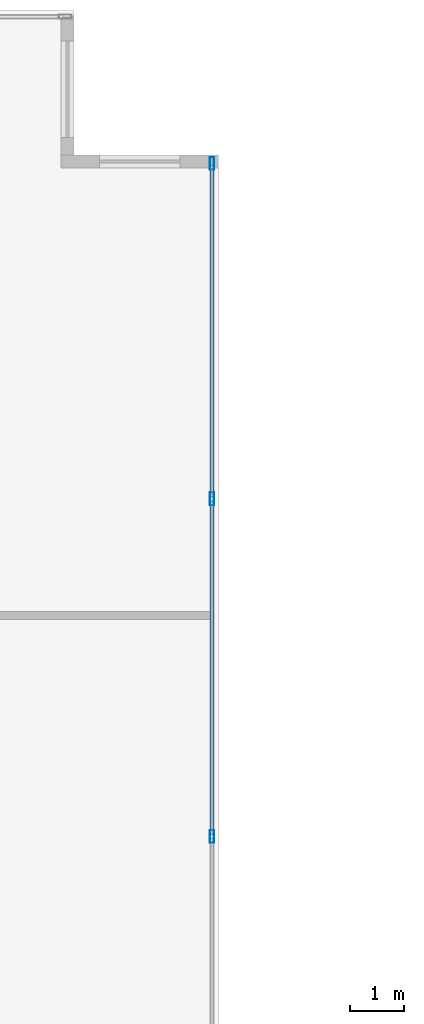
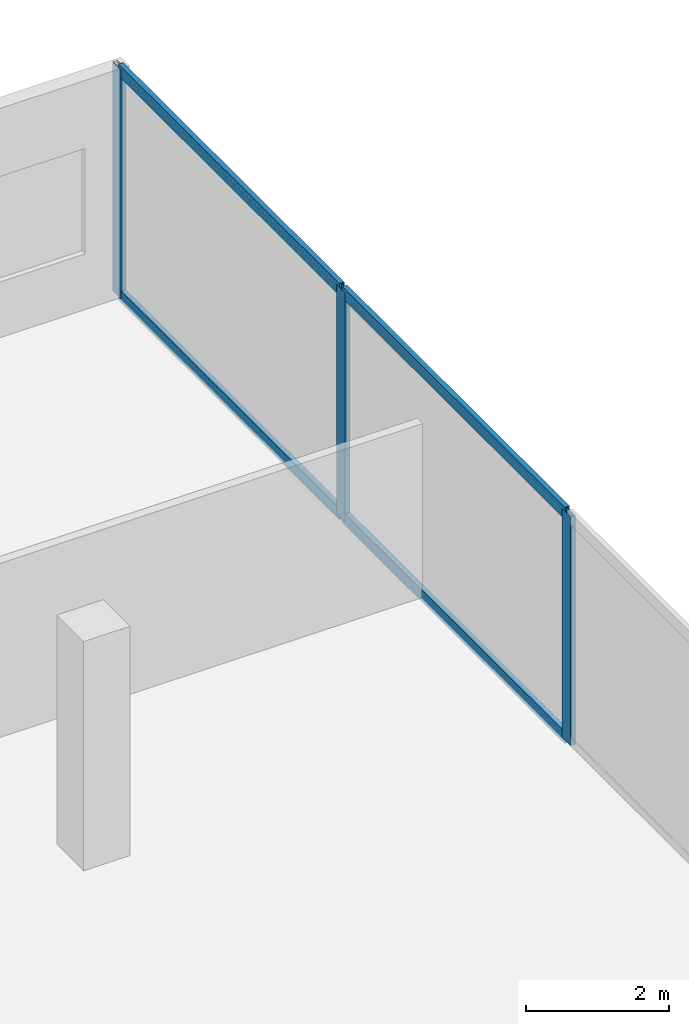
# One storey, part 14 of 28: 7 members, 1 element without a shape of its own.
"""IFC4 building model written with IfcOpenShell, lengths in metres."""

from ifc_helpers import new_model, si_unit, direction, frame, origin, origin_2d, place, context, subcontext, project, spatial, hollow_rectangle, extrude, material, material_profile, profile_set, type_object, element, aggregate, save


model = new_model("IFC4")

# Units and contexts
model_context = context("Model", 3, precision=1e-05, world=origin(), true_north=direction((0.0, 1.0)))
body_context = subcontext(model_context, "Body", "Model", "MODEL_VIEW")
ifc_project = project(units=[si_unit("LENGTHUNIT", "METRE"), si_unit("AREAUNIT", "SQUARE_METRE"), si_unit("VOLUMEUNIT", "CUBIC_METRE"), si_unit("PLANEANGLEUNIT", "RADIAN"), si_unit("MASSUNIT", "GRAM", prefix="KILO")], contexts=[model_context])

# Site, building, storey
site_placement = place(None, origin())
site = spatial("IfcSite", under=ifc_project, at=site_placement, CompositionType="ELEMENT")
building_placement = place(site_placement, origin())
building = spatial("IfcBuilding", under=site, at=building_placement, Name="Cobrela Telecom Tower", CompositionType="ELEMENT")
storey_placement = place(building_placement, frame((0.0, 0.0, 17.85009765625)))
storey = spatial("IfcBuildingStorey", under=building, at=storey_placement, Name="L04", CompositionType="ELEMENT", Elevation=17.85009765625)

# Curtain wall, members
ifc_material = material(Name="Anodized Bronze Aluminium 6063-T6", Category="aluminium")
curtain_wall_type = type_object("IfcCurtainWallType", Name="CW-SYS-CONC", PredefinedType="USERDEFINED", material=ifc_material)
curtain_wall_placement = place(storey_placement, origin())
curtain_wall = element("IfcCurtainWall", 1, at=curtain_wall_placement, inside=storey, type_object=curtain_wall_type, Name="L04 Unitised Bronze Curtain Wall 10", ObjectType="UNITISED CURTAIN WALL", PredefinedType="USERDEFINED")
ifc_material_profile_1 = material_profile(ifc_material, hollow_rectangle(XDim=0.080078125, YDim=0.239990234375, WallThickness=0.0048828125, at=origin_2d()), Name="ALU 80x240x5")
ifc_profile_set_1 = profile_set([ifc_material_profile_1], Name="Anodized Bronze Aluminium 6063-T6")
member_type_1 = type_object("IfcMemberType", Name="CW-SYS-CONC-MUL", PredefinedType="MULLION", material=ifc_profile_set_1)
member_1_placement = place(storey_placement, frame((50.280029296875, 47.5400390625, 0.0), z_axis=(0.0, 0.0, 1.0), x_axis=(1.0, 0.0, 0.0)))
member_1 = element("IfcMember", 2, at=member_1_placement, type_object=member_type_1, Name="CW-CONC mullion 1", PredefinedType="MULLION", context=body_context, shape_type="SweptSolid", body=[
    extrude(hollow_rectangle(XDim=0.080078125, YDim=0.239990234375, WallThickness=0.0048828125, at=origin_2d()), origin(), (0.0, 0.0, 1.0), 3.909912109375),
])
member_2_placement = place(storey_placement, frame((50.280029296875, 41.280029296875, 0.0), z_axis=(0.0, 0.0, 1.0), x_axis=(1.0, 0.0, 0.0)))
member_2 = element("IfcMember", 3, at=member_2_placement, type_object=member_type_1, Name="CW-CONC mullion 2", PredefinedType="MULLION", context=body_context, shape_type="SweptSolid", body=[
    extrude(hollow_rectangle(XDim=0.080078125, YDim=0.239990234375, WallThickness=0.0048828125, at=origin_2d()), origin(), (0.0, 0.0, 1.0), 3.909912109375),
])
member_3_placement = place(storey_placement, frame((50.280029296875, 34.97998046875, 0.0), z_axis=(0.0, 0.0, 1.0), x_axis=(1.0, 0.0, 0.0)))
member_3 = element("IfcMember", 4, at=member_3_placement, type_object=member_type_1, Name="CW-CONC mullion 3", PredefinedType="MULLION", context=body_context, shape_type="SweptSolid", body=[
    extrude(hollow_rectangle(XDim=0.080078125, YDim=0.239990234375, WallThickness=0.0048828125, at=origin_2d()), origin(), (0.0, 0.0, 1.0), 3.909912109375),
])
ifc_material_profile_2 = material_profile(ifc_material, hollow_rectangle(XDim=0.080078125, YDim=0.199951171875, WallThickness=0.00390625, at=origin_2d()), Name="ALU 80x200x4")
ifc_profile_set_2 = profile_set([ifc_material_profile_2], Name="Anodized Bronze Aluminium 6063-T6")
member_type_2 = type_object("IfcMemberType", Name="CW-SYS-CONC-TRN", PredefinedType="USERDEFINED", material=ifc_profile_set_2)
member_4_placement = place(storey_placement, frame((50.280029296875, 47.5, 0.039794921875), z_axis=(0.0, -1.0, 0.0), x_axis=(1.0, 0.0, 0.0)))
member_4 = element("IfcMember", 5, at=member_4_placement, type_object=member_type_2, Name="CW-CONC transom 1.1", ObjectType="TRANSOM", PredefinedType="USERDEFINED", context=body_context, shape_type="SweptSolid", body=[
    extrude(hollow_rectangle(XDim=0.080078125, YDim=0.199951171875, WallThickness=0.00390625, at=origin_2d()), origin(), (0.0, 0.0, 1.0), 6.179931640625),
])
member_5_placement = place(storey_placement, frame((50.280029296875, 47.5, 3.869873046875), z_axis=(0.0, -1.0, 0.0), x_axis=(1.0, 0.0, 0.0)))
member_5 = element("IfcMember", 6, at=member_5_placement, type_object=member_type_2, Name="CW-CONC transom 1.2", ObjectType="TRANSOM", PredefinedType="USERDEFINED", context=body_context, shape_type="SweptSolid", body=[
    extrude(hollow_rectangle(XDim=0.080078125, YDim=0.199951171875, WallThickness=0.00390625, at=origin_2d()), origin(), (0.0, 0.0, 1.0), 6.179931640625),
])
member_6_placement = place(storey_placement, frame((50.280029296875, 41.239990234375, 0.039794921875), z_axis=(0.0, -1.0, 0.0), x_axis=(1.0, 0.0, 0.0)))
member_6 = element("IfcMember", 7, at=member_6_placement, type_object=member_type_2, Name="CW-CONC transom 2.1", ObjectType="TRANSOM", PredefinedType="USERDEFINED", context=body_context, shape_type="SweptSolid", body=[
    extrude(hollow_rectangle(XDim=0.080078125, YDim=0.199951171875, WallThickness=0.00390625, at=origin_2d()), origin(), (0.0, 0.0, 1.0), 6.219970703125),
])
member_7_placement = place(storey_placement, frame((50.280029296875, 41.239990234375, 3.869873046875), z_axis=(0.0, -1.0, 0.0), x_axis=(1.0, 0.0, 0.0)))
member_7 = element("IfcMember", 8, at=member_7_placement, type_object=member_type_2, Name="CW-CONC transom 2.2", ObjectType="TRANSOM", PredefinedType="USERDEFINED", context=body_context, shape_type="SweptSolid", body=[
    extrude(hollow_rectangle(XDim=0.080078125, YDim=0.199951171875, WallThickness=0.00390625, at=origin_2d()), origin(), (0.0, 0.0, 1.0), 6.219970703125),
])
aggregate(curtain_wall, [member_1, member_2, member_3, member_4, member_5, member_6, member_7])

save(model, "model.ifc")
